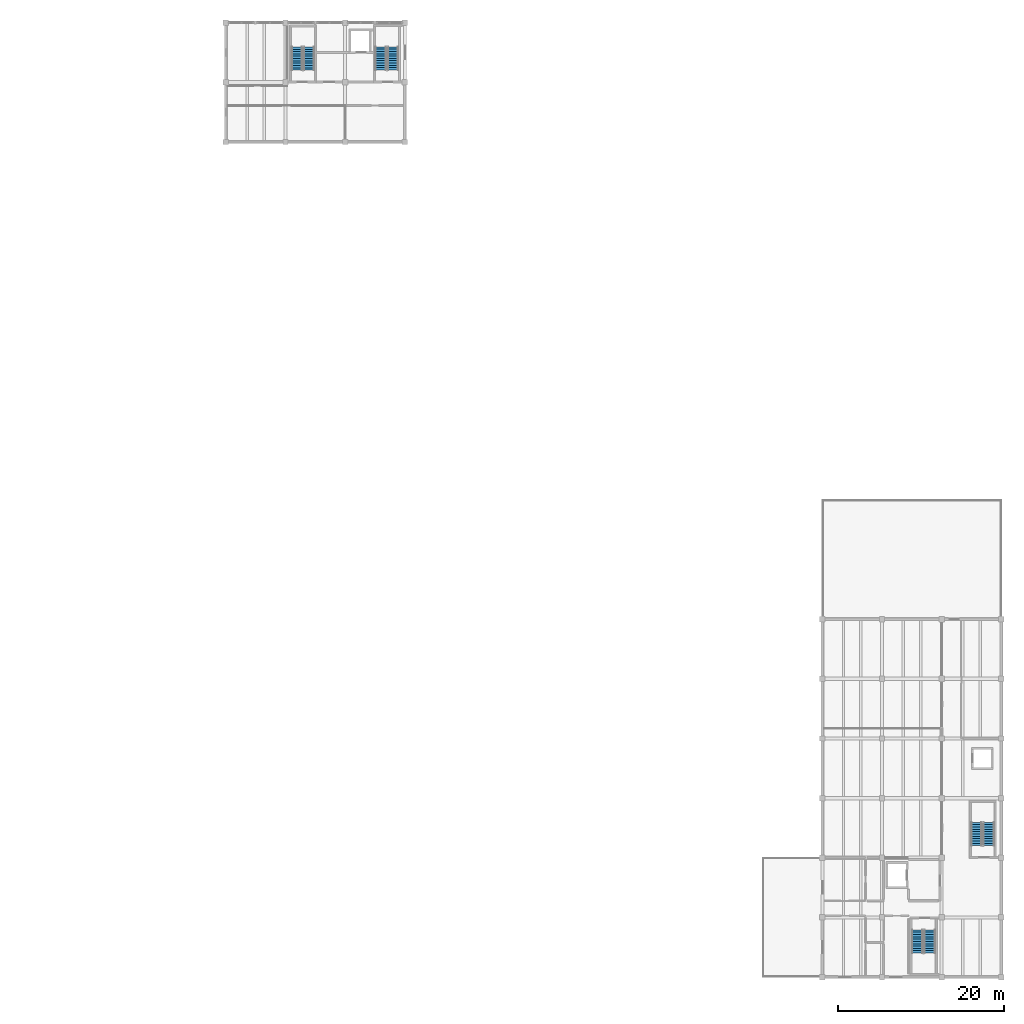
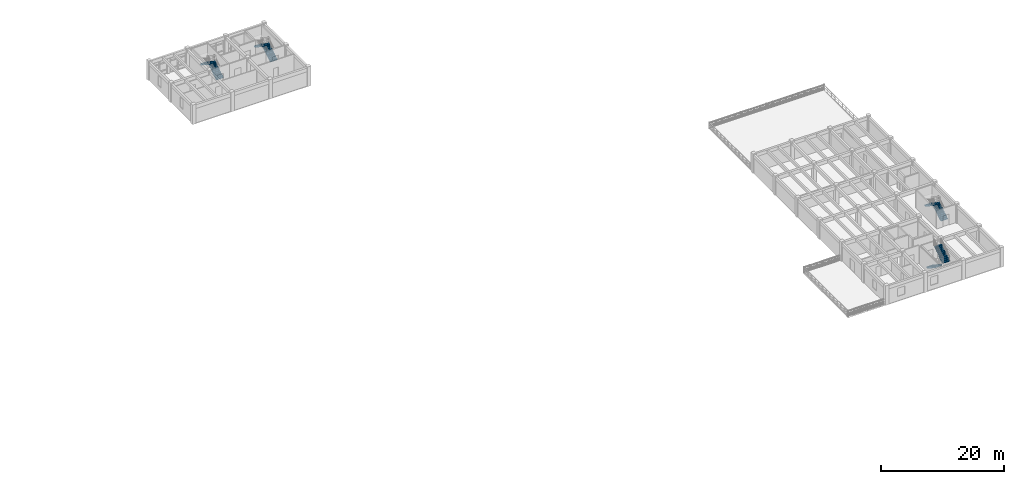
# One storey, part 10 of 13: 8 stair flights, 4 elements without a shape of their own.
"""IFC4 building model written with IfcOpenShell, lengths in metres."""

from ifc_helpers import new_model, si_unit, direction, frame, origin, place, context, subcontext, project, spatial, polyline, outline, extrude, material, type_object, element, aggregate, save


model = new_model("IFC4")

# Units and contexts
model_context = context("Model", 3, precision=1e-05, world=origin(), true_north=direction((0.0, 1.0)))
body_context = subcontext(model_context, "Body", "Model", "MODEL_VIEW")
ifc_project = project(units=[si_unit("LENGTHUNIT", "METRE"), si_unit("AREAUNIT", "SQUARE_METRE"), si_unit("VOLUMEUNIT", "CUBIC_METRE"), si_unit("PLANEANGLEUNIT", "RADIAN"), si_unit("MASSUNIT", "GRAM", prefix="KILO")], contexts=[model_context])

# Site, building, storey
site_placement = place(None, origin())
site = spatial("IfcSite", under=ifc_project, at=site_placement, CompositionType="ELEMENT")
building_placement = place(site_placement, origin())
building = spatial("IfcBuilding", under=site, at=building_placement, Name="Koriwan Promenade Central Fire Station", CompositionType="ELEMENT")
storey_placement = place(building_placement, frame((0.0, 0.0, 13.5)))
storey = spatial("IfcBuildingStorey", under=building, at=storey_placement, Name="L03", CompositionType="ELEMENT", Elevation=13.5)

# Stair, stair flights
ifc_material = material(Name="Concrete C35/45", Category="concrete")
stair_type_1 = type_object("IfcStairType", Name="Stair_HALF_22R_1320", PredefinedType="HALF_TURN_STAIR", material=ifc_material)
stair_1_placement = place(storey_placement, origin())
stair_1 = element("IfcStair", 1, at=stair_1_placement, inside=storey, type_object=stair_type_1, Name="L03 Protected Stair ST09", PredefinedType="HALF_TURN_STAIR")
stair_flight_type_1 = type_object("IfcStairFlightType", Name="StairFlight_11R_177H_1320", PredefinedType="STRAIGHT", material=ifc_material)
stair_flight_1_placement = place(storey_placement, frame((89.239990234375, 109.469970703125, 0.0), z_axis=(0.0, 0.0, 1.0), x_axis=(0.0, 1.0, 0.0)))
stair_flight_1 = element("IfcStairFlight", 2, at=stair_flight_1_placement, type_object=stair_flight_type_1, Name="ST09 flight 1", NumberOfRisers=11, NumberOfTreads=10, PredefinedType="STRAIGHT", RiserHeight=0.177272727, TreadLength=0.28, context=body_context, shape_type="SweptSolid", body=[
    extrude(outline(polyline([(0.0, 0.0), (0.0, 0.17724609375), (0.280029296875, 0.17724609375), (0.280029296875, 0.3544921875), (0.56005859375, 0.3544921875), (0.56005859375, 0.53173828125), (0.840087890625, 0.53173828125), (0.840087890625, 0.708984375), (1.1201171875, 0.708984375), (1.1201171875, 0.886474609375), (1.39990234375, 0.886474609375), (1.39990234375, 1.063720703125), (1.679931640625, 1.063720703125), (1.679931640625, 1.240966796875), (1.9599609375, 1.240966796875), (1.9599609375, 1.418212890625), (2.239990234375, 1.418212890625), (2.239990234375, 1.595458984375), (2.52001953125, 1.595458984375), (2.52001953125, 1.772705078125), (2.800048828125, 1.772705078125), (2.800048828125, 1.949951171875), (2.800048828125, 1.59521484375), (0.2802734375, 0.0), (0.0, 0.0)])), frame((0.0, 0.66015625, 0.0), z_axis=(0.0, -1.0, 0.0), x_axis=(1.0, 0.0, 0.0)), (0.0, 0.0, 1.0), 1.320068359375),
])
stair_flight_2_placement = place(storey_placement, frame((87.77001953125, 112.27001953125, 1.949951171875), z_axis=(0.0, 0.0, 1.0), x_axis=(0.0, -1.0, 0.0)))
stair_flight_2 = element("IfcStairFlight", 3, at=stair_flight_2_placement, type_object=stair_flight_type_1, Name="ST09 flight 2", NumberOfRisers=11, NumberOfTreads=10, PredefinedType="STRAIGHT", RiserHeight=0.177272727, TreadLength=0.28, context=body_context, shape_type="SweptSolid", body=[
    extrude(outline(polyline([(0.0, 0.0), (0.0, 0.17724609375), (0.280029296875, 0.17724609375), (0.280029296875, 0.3544921875), (0.56005859375, 0.3544921875), (0.56005859375, 0.53173828125), (0.840087890625, 0.53173828125), (0.840087890625, 0.708984375), (1.1201171875, 0.708984375), (1.1201171875, 0.886474609375), (1.39990234375, 0.886474609375), (1.39990234375, 1.063720703125), (1.679931640625, 1.063720703125), (1.679931640625, 1.240966796875), (1.9599609375, 1.240966796875), (1.9599609375, 1.418212890625), (2.239990234375, 1.418212890625), (2.239990234375, 1.595458984375), (2.52001953125, 1.595458984375), (2.52001953125, 1.772705078125), (2.800048828125, 1.772705078125), (2.800048828125, 1.949951171875), (2.800048828125, 1.59521484375), (0.2802734375, 0.0), (0.0, 0.0)])), frame((0.0, 0.66015625, 0.0), z_axis=(0.0, -1.0, 0.0), x_axis=(1.0, 0.0, 0.0)), (0.0, 0.0, 1.0), 1.320068359375),
])
aggregate(stair_1, [stair_flight_1, stair_flight_2])

stair_2_placement = place(storey_placement, origin())
stair_2 = element("IfcStair", 4, at=stair_2_placement, inside=storey, type_object=stair_type_1, Name="L03 Protected Stair ST27", PredefinedType="HALF_TURN_STAIR")
stair_flight_3_placement = place(storey_placement, frame((171.2900390625, 15.8701171875, 0.0), z_axis=(0.0, 0.0, 1.0), x_axis=(0.0, 1.0, 0.0)))
stair_flight_3 = element("IfcStairFlight", 5, at=stair_flight_3_placement, type_object=stair_flight_type_1, Name="ST27 flight 1", NumberOfRisers=11, NumberOfTreads=10, PredefinedType="STRAIGHT", RiserHeight=0.177272727, TreadLength=0.28, context=body_context, shape_type="SweptSolid", body=[
    extrude(outline(polyline([(0.0, 0.0), (0.0, 0.17724609375), (0.280029296875, 0.17724609375), (0.280029296875, 0.3544921875), (0.56005859375, 0.3544921875), (0.56005859375, 0.53173828125), (0.840087890625, 0.53173828125), (0.840087890625, 0.708984375), (1.1201171875, 0.708984375), (1.1201171875, 0.886474609375), (1.39990234375, 0.886474609375), (1.39990234375, 1.063720703125), (1.679931640625, 1.063720703125), (1.679931640625, 1.240966796875), (1.9599609375, 1.240966796875), (1.9599609375, 1.418212890625), (2.239990234375, 1.418212890625), (2.239990234375, 1.595458984375), (2.52001953125, 1.595458984375), (2.52001953125, 1.772705078125), (2.800048828125, 1.772705078125), (2.800048828125, 1.949951171875), (2.800048828125, 1.59521484375), (0.2802734375, 0.0), (0.0, 0.0)])), frame((0.0, 0.66015625, 0.0), z_axis=(0.0, -1.0, 0.0), x_axis=(1.0, 0.0, 0.0)), (0.0, 0.0, 1.0), 1.320068359375),
])
stair_flight_4_placement = place(storey_placement, frame((169.820068359375, 18.669921875, 1.949951171875), z_axis=(0.0, 0.0, 1.0), x_axis=(0.0, -1.0, 0.0)))
stair_flight_4 = element("IfcStairFlight", 6, at=stair_flight_4_placement, type_object=stair_flight_type_1, Name="ST27 flight 2", NumberOfRisers=11, NumberOfTreads=10, PredefinedType="STRAIGHT", RiserHeight=0.177272727, TreadLength=0.28, context=body_context, shape_type="SweptSolid", body=[
    extrude(outline(polyline([(0.0, 0.0), (0.0, 0.17724609375), (0.280029296875, 0.17724609375), (0.280029296875, 0.3544921875), (0.56005859375, 0.3544921875), (0.56005859375, 0.53173828125), (0.840087890625, 0.53173828125), (0.840087890625, 0.708984375), (1.1201171875, 0.708984375), (1.1201171875, 0.886474609375), (1.39990234375, 0.886474609375), (1.39990234375, 1.063720703125), (1.679931640625, 1.063720703125), (1.679931640625, 1.240966796875), (1.9599609375, 1.240966796875), (1.9599609375, 1.418212890625), (2.239990234375, 1.418212890625), (2.239990234375, 1.595458984375), (2.52001953125, 1.595458984375), (2.52001953125, 1.772705078125), (2.800048828125, 1.772705078125), (2.800048828125, 1.949951171875), (2.800048828125, 1.59521484375), (0.2802734375, 0.0), (0.0, 0.0)])), frame((0.0, 0.66015625, 0.0), z_axis=(0.0, -1.0, 0.0), x_axis=(1.0, 0.0, 0.0)), (0.0, 0.0, 1.0), 1.320068359375),
])
aggregate(stair_2, [stair_flight_3, stair_flight_4])

stair_type_2 = type_object("IfcStairType", Name="Stair_HALF_22R_1340", PredefinedType="HALF_TURN_STAIR", material=ifc_material)
stair_3_placement = place(storey_placement, origin())
stair_3 = element("IfcStair", 7, at=stair_3_placement, inside=storey, type_object=stair_type_2, Name="L03 Protected Stair ST04", PredefinedType="HALF_TURN_STAIR")
stair_flight_type_2 = type_object("IfcStairFlightType", Name="StairFlight_11R_177H_1340", PredefinedType="STRAIGHT", material=ifc_material)
stair_flight_5_placement = place(storey_placement, frame((99.3798828125, 109.489990234375, 0.0), z_axis=(0.0, 0.0, 1.0), x_axis=(0.0, 1.0, 0.0)))
stair_flight_5 = element("IfcStairFlight", 8, at=stair_flight_5_placement, type_object=stair_flight_type_2, Name="ST04 flight 1", NumberOfRisers=11, NumberOfTreads=10, PredefinedType="STRAIGHT", RiserHeight=0.177272727, TreadLength=0.28, context=body_context, shape_type="SweptSolid", body=[
    extrude(outline(polyline([(0.0, 0.0), (0.0, 0.17724609375), (0.280029296875, 0.17724609375), (0.280029296875, 0.3544921875), (0.56005859375, 0.3544921875), (0.56005859375, 0.53173828125), (0.840087890625, 0.53173828125), (0.840087890625, 0.708984375), (1.1201171875, 0.708984375), (1.1201171875, 0.886474609375), (1.39990234375, 0.886474609375), (1.39990234375, 1.063720703125), (1.679931640625, 1.063720703125), (1.679931640625, 1.240966796875), (1.9599609375, 1.240966796875), (1.9599609375, 1.418212890625), (2.239990234375, 1.418212890625), (2.239990234375, 1.595458984375), (2.52001953125, 1.595458984375), (2.52001953125, 1.772705078125), (2.800048828125, 1.772705078125), (2.800048828125, 1.949951171875), (2.800048828125, 1.59521484375), (0.2802734375, 0.0), (0.0, 0.0)])), frame((0.0, 0.669921875, 0.0), z_axis=(0.0, -1.0, 0.0), x_axis=(1.0, 0.0, 0.0)), (0.0, 0.0, 1.0), 1.340087890625),
])
stair_flight_6_placement = place(storey_placement, frame((97.889892578125, 112.2900390625, 1.949951171875), z_axis=(0.0, 0.0, 1.0), x_axis=(0.0, -1.0, 0.0)))
stair_flight_6 = element("IfcStairFlight", 9, at=stair_flight_6_placement, type_object=stair_flight_type_2, Name="ST04 flight 2", NumberOfRisers=11, NumberOfTreads=10, PredefinedType="STRAIGHT", RiserHeight=0.177272727, TreadLength=0.28, context=body_context, shape_type="SweptSolid", body=[
    extrude(outline(polyline([(0.0, 0.0), (0.0, 0.17724609375), (0.280029296875, 0.17724609375), (0.280029296875, 0.3544921875), (0.56005859375, 0.3544921875), (0.56005859375, 0.53173828125), (0.840087890625, 0.53173828125), (0.840087890625, 0.708984375), (1.1201171875, 0.708984375), (1.1201171875, 0.886474609375), (1.39990234375, 0.886474609375), (1.39990234375, 1.063720703125), (1.679931640625, 1.063720703125), (1.679931640625, 1.240966796875), (1.9599609375, 1.240966796875), (1.9599609375, 1.418212890625), (2.239990234375, 1.418212890625), (2.239990234375, 1.595458984375), (2.52001953125, 1.595458984375), (2.52001953125, 1.772705078125), (2.800048828125, 1.772705078125), (2.800048828125, 1.949951171875), (2.800048828125, 1.59521484375), (0.2802734375, 0.0), (0.0, 0.0)])), frame((0.0, 0.669921875, 0.0), z_axis=(0.0, -1.0, 0.0), x_axis=(1.0, 0.0, 0.0)), (0.0, 0.0, 1.0), 1.340087890625),
])
aggregate(stair_3, [stair_flight_5, stair_flight_6])

stair_type_3 = type_object("IfcStairType", Name="Stair_HALF_22R_1350", PredefinedType="HALF_TURN_STAIR", material=ifc_material)
stair_4_placement = place(storey_placement, origin())
stair_4 = element("IfcStair", 10, at=stair_4_placement, inside=storey, type_object=stair_type_3, Name="L03 Protected Stair ST22", PredefinedType="HALF_TURN_STAIR")
stair_flight_type_3 = type_object("IfcStairFlightType", Name="StairFlight_11R_177H_1350", PredefinedType="STRAIGHT", material=ifc_material)
stair_flight_7_placement = place(storey_placement, frame((162.675048828125, 5.699951171875, 0.0), z_axis=(0.0, 0.0, 1.0), x_axis=(0.0, -1.0, 0.0)))
stair_flight_7 = element("IfcStairFlight", 11, at=stair_flight_7_placement, type_object=stair_flight_type_3, Name="ST22 flight 1", NumberOfRisers=11, NumberOfTreads=10, PredefinedType="STRAIGHT", RiserHeight=0.177272727, TreadLength=0.28, context=body_context, shape_type="SweptSolid", body=[
    extrude(outline(polyline([(0.0, 0.0), (0.0, 0.17724609375), (0.280029296875, 0.17724609375), (0.280029296875, 0.3544921875), (0.56005859375, 0.3544921875), (0.56005859375, 0.53173828125), (0.840087890625, 0.53173828125), (0.840087890625, 0.708984375), (1.1201171875, 0.708984375), (1.1201171875, 0.886474609375), (1.39990234375, 0.886474609375), (1.39990234375, 1.063720703125), (1.679931640625, 1.063720703125), (1.679931640625, 1.240966796875), (1.9599609375, 1.240966796875), (1.9599609375, 1.418212890625), (2.239990234375, 1.418212890625), (2.239990234375, 1.595458984375), (2.52001953125, 1.595458984375), (2.52001953125, 1.772705078125), (2.800048828125, 1.772705078125), (2.800048828125, 1.949951171875), (2.800048828125, 1.59521484375), (0.2802734375, 0.0), (0.0, 0.0)])), frame((0.0, 0.675048828125, 0.0), z_axis=(0.0, -1.0, 0.0), x_axis=(1.0, 0.0, 0.0)), (0.0, 0.0, 1.0), 1.35009765625),
])
stair_flight_8_placement = place(storey_placement, frame((164.175048828125, 2.89990234375, 1.949951171875), z_axis=(0.0, 0.0, 1.0), x_axis=(0.0, 1.0, 0.0)))
stair_flight_8 = element("IfcStairFlight", 12, at=stair_flight_8_placement, type_object=stair_flight_type_3, Name="ST22 flight 2", NumberOfRisers=11, NumberOfTreads=10, PredefinedType="STRAIGHT", RiserHeight=0.177272727, TreadLength=0.28, context=body_context, shape_type="SweptSolid", body=[
    extrude(outline(polyline([(0.0, 0.0), (0.0, 0.17724609375), (0.280029296875, 0.17724609375), (0.280029296875, 0.3544921875), (0.56005859375, 0.3544921875), (0.56005859375, 0.53173828125), (0.840087890625, 0.53173828125), (0.840087890625, 0.708984375), (1.1201171875, 0.708984375), (1.1201171875, 0.886474609375), (1.39990234375, 0.886474609375), (1.39990234375, 1.063720703125), (1.679931640625, 1.063720703125), (1.679931640625, 1.240966796875), (1.9599609375, 1.240966796875), (1.9599609375, 1.418212890625), (2.239990234375, 1.418212890625), (2.239990234375, 1.595458984375), (2.52001953125, 1.595458984375), (2.52001953125, 1.772705078125), (2.800048828125, 1.772705078125), (2.800048828125, 1.949951171875), (2.800048828125, 1.59521484375), (0.2802734375, 0.0), (0.0, 0.0)])), frame((0.0, 0.675048828125, 0.0), z_axis=(0.0, -1.0, 0.0), x_axis=(1.0, 0.0, 0.0)), (0.0, 0.0, 1.0), 1.35009765625),
])
aggregate(stair_4, [stair_flight_7, stair_flight_8])

save(model, "model.ifc")
